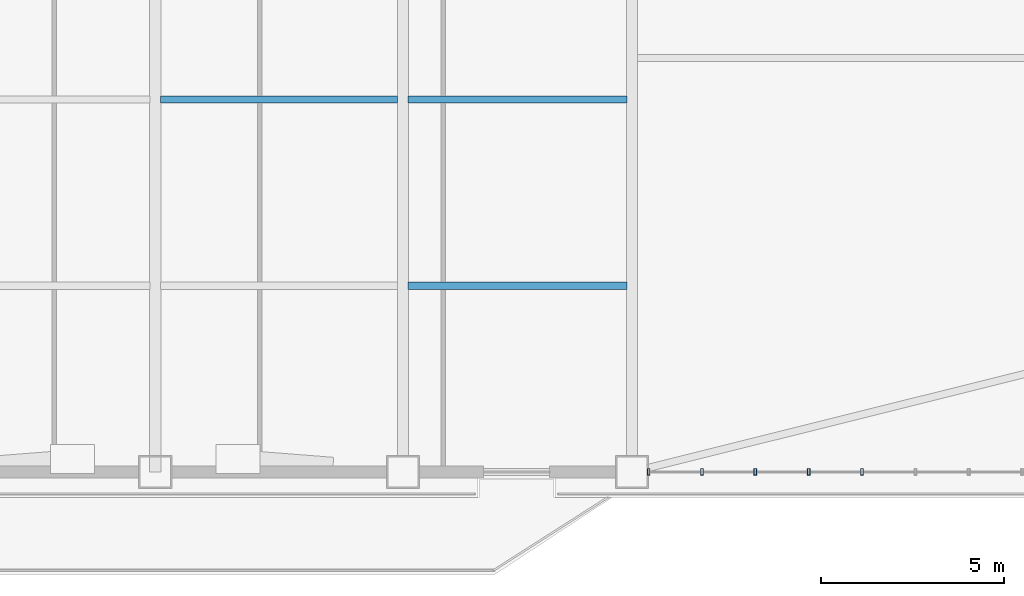
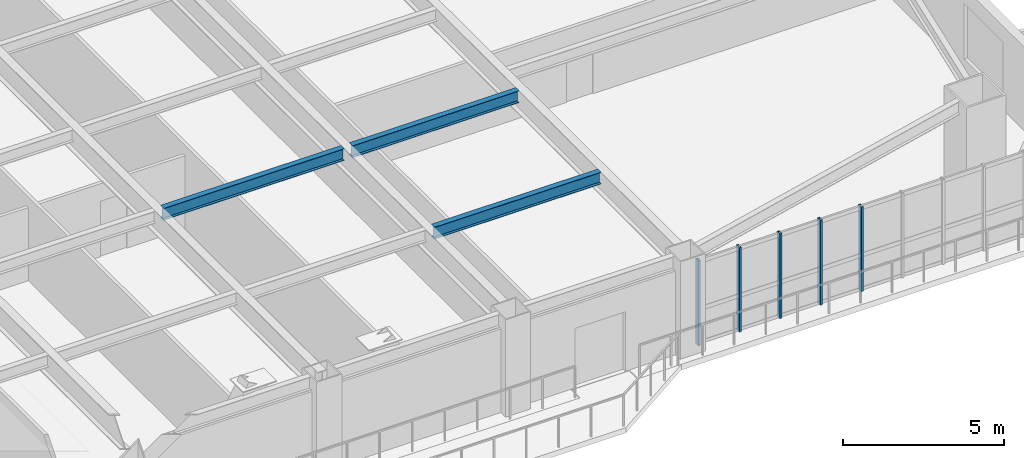
# One storey, part 4 of 15: 5 members, 3 beams, 1 element without a shape of its own.
"""IFC4 building model written with IfcOpenShell, lengths in metres."""

from ifc_helpers import new_model, si_unit, direction, frame, origin, origin_2d, place, context, subcontext, project, spatial, hollow_rectangle, i_section, extrude, source, transform, mapped, material, layer, layer_set, material_profile, profile_set, type_object, element, aggregate, save


model = new_model("IFC4")

# Units and contexts
model_context = context("Model", 3, precision=1e-05, world=origin(), true_north=direction((0.0, 1.0)))
body_context = subcontext(model_context, "Body", "Model", "MODEL_VIEW")
ifc_project = project(units=[si_unit("LENGTHUNIT", "METRE"), si_unit("AREAUNIT", "SQUARE_METRE"), si_unit("VOLUMEUNIT", "CUBIC_METRE"), si_unit("PLANEANGLEUNIT", "RADIAN"), si_unit("MASSUNIT", "GRAM", prefix="KILO")], contexts=[model_context])

# Site, building, storey
site_placement = place(None, origin())
site = spatial("IfcSite", under=ifc_project, at=site_placement, CompositionType="ELEMENT")
building_placement = place(site_placement, origin())
building = spatial("IfcBuilding", under=site, at=building_placement, Name="Giltprow Tower", CompositionType="ELEMENT")
storey_placement = place(building_placement, frame((0.0, 0.0, 115.300048828125)))
storey = spatial("IfcBuildingStorey", under=building, at=storey_placement, Name="L28", CompositionType="ELEMENT", Elevation=115.300048828125)

# Beams
ifc_material_1 = material(Name="Structural steel Q355B", Category="steel")
ifc_material_profile_1 = material_profile(ifc_material_1, i_section(OverallWidth=0.199951171875, OverallDepth=0.449951171875, WebThickness=0.009033203125, FlangeThickness=0.013916015625, at=origin_2d()), Name="HN 450x200x9x14")
ifc_profile_set_1 = profile_set([ifc_material_profile_1], Name="Structural steel Q355B")
beam_type = type_object("IfcBeamType", Name="BM-JOIST-HN450", PredefinedType="JOIST", material=ifc_profile_set_1)
shared_shape_1 = source(origin(), body_context, "Body", "SweptSolid", [
    extrude(i_section(OverallWidth=0.199951171875, OverallDepth=0.449951171875, WebThickness=0.009033203125, FlangeThickness=0.013916015625, at=origin_2d()), origin(), (0.0, 0.0, 1.0), 6.4599609375),
])
beam_placement = place(storey_placement, frame((37.695068359375, 17.14306640625, 3.454833984375), z_axis=(1.0, 0.0, 0.0), x_axis=(0.0, 1.0, 0.0)))
element("IfcBeam", 1, at=beam_placement, inside=storey, type_object=beam_type, Name="L28 Composite Floor Joist 2-3", PredefinedType="JOIST", context=body_context, shape_type="MappedRepresentation", body=[
    mapped(shared_shape_1, transform((0.0, 0.0, 0.0), x_axis=(1.0, 0.0, 0.0), y_axis=(0.0, 1.0, 0.0), z_axis=(0.0, 0.0, 1.0), scale=1.0)),
])
shared_shape_2 = source(origin(), body_context, "Body", "SweptSolid", [
    extrude(i_section(OverallWidth=0.199951171875, OverallDepth=0.449951171875, WebThickness=0.009033203125, FlangeThickness=0.013916015625, at=origin_2d()), origin(), (0.0, 0.0, 1.0), 5.9599609375),
])
for number, where, z_axis, x_axis, name in (
    (2, (44.445068359375, 12.06689453125, 3.454833984375), (1.0, 0.0, 0.0), (0.0, 1.0, 0.0), "L28 Composite Floor Joist 1-4"),
    (3, (44.445068359375, 17.14306640625, 3.454833984375), (1.0, 0.0, 0.0), (0.0, 1.0, 0.0), "L28 Composite Floor Joist 2-4"),
):
    element("IfcBeam", number, at=place(storey_placement, frame(where, z_axis=z_axis, x_axis=x_axis)), inside=storey, type_object=beam_type, Name=name, PredefinedType="JOIST", context=body_context, shape_type="MappedRepresentation", body=[
        mapped(shared_shape_2, transform((0.0, 0.0, 0.0), x_axis=(1.0, 0.0, 0.0), y_axis=(0.0, 1.0, 0.0), z_axis=(0.0, 0.0, 1.0), scale=1.0)),
    ])

# Curtain wall, members
ifc_material_2 = material(Name="Anodized bronze", Category="metal")
ifc_layer = layer(ifc_material_2, 0.179931640625, Name="Anodized bronze")
ifc_layer_set = layer_set([ifc_layer], Name="Anodized bronze")
curtain_wall_type = type_object("IfcCurtainWallType", Name="CW-OFF-RECESSED", PredefinedType="NOTDEFINED", material=ifc_layer_set)
curtain_wall_placement = place(storey_placement, origin())
curtain_wall = element("IfcCurtainWall", 4, at=curtain_wall_placement, inside=storey, type_object=curtain_wall_type, Name="L28 South Recessed Curtain Wall 6", PredefinedType="NOTDEFINED")
ifc_material_profile_2 = material_profile(ifc_material_2, hollow_rectangle(XDim=0.074951171875, YDim=0.179931640625, WallThickness=0.008056640625, at=origin_2d()), Name="RHS 180x75x8")
ifc_profile_set_2 = profile_set([ifc_material_profile_2], Name="Anodized bronze")
member_type = type_object("IfcMemberType", Name="CW-MULLION-180x75", PredefinedType="MULLION", material=ifc_profile_set_2)
shared_shape_3 = source(origin(), body_context, "Body", "SweptSolid", [
    extrude(hollow_rectangle(XDim=0.074951171875, YDim=0.179931640625, WallThickness=0.008056640625, at=origin_2d()), origin(), (0.0, 0.0, 1.0), 3.215087890625),
])
member_1_placement = place(storey_placement, frame((51.0, 6.989990234375, -0.02001953125), z_axis=(0.0, 0.0, 1.0), x_axis=(1.0, 0.0, 0.0)))
member_1 = element("IfcMember", 5, at=member_1_placement, type_object=member_type, Name="L28 South Recessed Curtain Wall 6 Mullion 1", PredefinedType="MULLION", context=body_context, shape_type="MappedRepresentation", body=[
    mapped(shared_shape_3, transform((0.0, 0.0, 0.0), x_axis=(1.0, 0.0, 0.0), y_axis=(0.0, 1.0, 0.0), z_axis=(0.0, 0.0, 1.0), scale=1.0)),
])
member_2_placement = place(storey_placement, frame((52.455078125, 6.989990234375, -0.02001953125), z_axis=(0.0, 0.0, 1.0), x_axis=(1.0, 0.0, 0.0)))
member_2 = element("IfcMember", 6, at=member_2_placement, type_object=member_type, Name="L28 South Recessed Curtain Wall 6 Mullion 2", PredefinedType="MULLION", context=body_context, shape_type="MappedRepresentation", body=[
    mapped(shared_shape_3, transform((0.0, 0.0, 0.0), x_axis=(1.0, 0.0, 0.0), y_axis=(0.0, 1.0, 0.0), z_axis=(0.0, 0.0, 1.0), scale=1.0)),
])
member_3_placement = place(storey_placement, frame((53.909912109375, 6.989990234375, -0.02001953125), z_axis=(0.0, 0.0, 1.0), x_axis=(1.0, 0.0, 0.0)))
member_3 = element("IfcMember", 7, at=member_3_placement, type_object=member_type, Name="L28 South Recessed Curtain Wall 6 Mullion 3", PredefinedType="MULLION", context=body_context, shape_type="MappedRepresentation", body=[
    mapped(shared_shape_3, transform((0.0, 0.0, 0.0), x_axis=(1.0, 0.0, 0.0), y_axis=(0.0, 1.0, 0.0), z_axis=(0.0, 0.0, 1.0), scale=1.0)),
])
member_4_placement = place(storey_placement, frame((55.364990234375, 6.989990234375, -0.02001953125), z_axis=(0.0, 0.0, 1.0), x_axis=(1.0, 0.0, 0.0)))
member_4 = element("IfcMember", 8, at=member_4_placement, type_object=member_type, Name="L28 South Recessed Curtain Wall 6 Mullion 4", PredefinedType="MULLION", context=body_context, shape_type="MappedRepresentation", body=[
    mapped(shared_shape_3, transform((0.0, 0.0, 0.0), x_axis=(1.0, 0.0, 0.0), y_axis=(0.0, 1.0, 0.0), z_axis=(0.0, 0.0, 1.0), scale=1.0)),
])
member_5_placement = place(storey_placement, frame((56.820068359375, 6.989990234375, -0.02001953125), z_axis=(0.0, 0.0, 1.0), x_axis=(1.0, 0.0, 0.0)))
member_5 = element("IfcMember", 9, at=member_5_placement, type_object=member_type, Name="L28 South Recessed Curtain Wall 6 Mullion 5", PredefinedType="MULLION", context=body_context, shape_type="MappedRepresentation", body=[
    mapped(shared_shape_3, transform((0.0, 0.0, 0.0), x_axis=(1.0, 0.0, 0.0), y_axis=(0.0, 1.0, 0.0), z_axis=(0.0, 0.0, 1.0), scale=1.0)),
])
aggregate(curtain_wall, [member_1, member_2, member_3, member_4, member_5])

save(model, "model.ifc")
